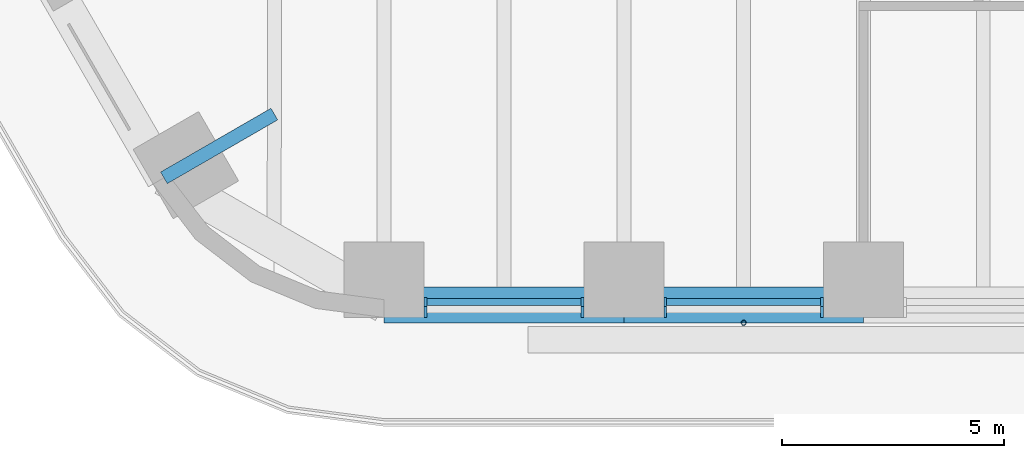
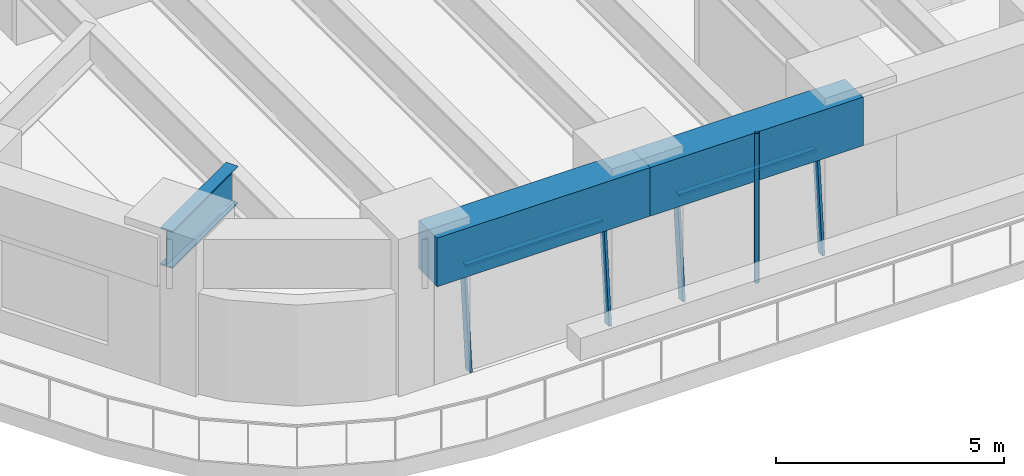
# One storey, part 2 of 23: 7 members, 3 beams, 2 elements without a shape of their own.
"""IFC4 building model written with IfcOpenShell, lengths in metres."""

import ifcopenshell
import ifcopenshell.guid

model = None  # the IFC model being written
_history = None  # IfcOwnerHistory: only IFC2X3 demands one
_inside = {}  # id of a spatial element -> (the spatial element, [elements in it])
_under = {}  # id of a project, library or spatial element -> (it, [spatial elements below it])
_declared = {}  # id of a project -> (the project, [libraries it declares])
_typed = {}  # id of a type object -> (the type object, [elements of that type])
_made_of = {}  # id of a material, layer set ... -> (it, [elements and type objects made of it])


def new_model(schema):
    """Start an empty IFC model of exactly this schema.

    Asked for "IFC4X3", IfcOpenShell would pick the latest addendum, in which some entities
    have other attributes; the version numbers below select the first issue.
    IFC2X3 requires an IfcOwnerHistory on every rooted entity: one is made here for all.
    """
    global model, _history
    if schema == "IFC4X3":
        model = ifcopenshell.file(schema_version=(4, 3, 0, 0))
    else:
        model = ifcopenshell.file(schema=schema)
    _inside.clear()
    _under.clear()
    _declared.clear()
    _typed.clear()
    _made_of.clear()
    _history = None
    if model.schema == "IFC2X3":
        org = make("IfcOrganization", Name="unknown")
        user = make(
            "IfcPersonAndOrganization",
            ThePerson=make("IfcPerson", FamilyName="unknown"),
            TheOrganization=org,
        )
        app = make(
            "IfcApplication",
            ApplicationDeveloper=org,
            Version="unknown",
            ApplicationFullName="unknown",
            ApplicationIdentifier="unknown",
        )
        _history = make(
            "IfcOwnerHistory",
            OwningUser=user,
            OwningApplication=app,
            ChangeAction="ADDED",
            CreationDate=0,
        )
    return model


def make(cls, **values):
    """One entity of the class cls with the attributes given. An attribute that is None is left unset."""
    return model.create_entity(
        cls, **{name: value for name, value in values.items() if value is not None}
    )


def rooted(cls, **values):
    """An entity with a GlobalId (a new one), such as an element, a storey or a relation."""
    return make(cls, GlobalId=ifcopenshell.guid.new(), OwnerHistory=_history, **values)


def si_unit(unit_type, name, prefix=None):
    """IfcSIUnit, for example si_unit("LENGTHUNIT", "METRE", prefix="MILLI")."""
    return make("IfcSIUnit", UnitType=unit_type, Prefix=prefix, Name=name)


def assignment(units):
    """IfcUnitAssignment: the units of a project."""
    return None if units is None else make("IfcUnitAssignment", Units=units)


def point(xyz):
    """IfcCartesianPoint."""
    return None if xyz is None else make("IfcCartesianPoint", Coordinates=xyz)


def direction(xyz):
    """IfcDirection."""
    return None if xyz is None else make("IfcDirection", DirectionRatios=xyz)


def frame(location, z_axis=None, x_axis=None):
    """IfcAxis2Placement3D, a coordinate frame: its origin and axes. An axis left out is left unset."""
    return make(
        "IfcAxis2Placement3D",
        Location=point(location),
        Axis=direction(z_axis),
        RefDirection=direction(x_axis),
    )


def frame_2d(location, x_axis=None):
    """IfcAxis2Placement2D, a coordinate frame in the plane: its origin and x axis."""
    return make(
        "IfcAxis2Placement2D", Location=point(location), RefDirection=direction(x_axis)
    )


def origin():
    """The frame at (0, 0, 0) with its axes left unset."""
    return frame((0.0, 0.0, 0.0))


def origin_2d():
    """The frame at (0, 0) in the plane with its x axis left unset."""
    return frame_2d((0.0, 0.0))


def place(relative_to, where):
    """IfcLocalPlacement: puts the frame where relative to a parent placement (None: the world)."""
    return make(
        "IfcLocalPlacement", PlacementRelTo=relative_to, RelativePlacement=where
    )


def context(
    kind, dimensions, precision=None, world=None, true_north=None, identifier=None
):
    """IfcGeometricRepresentationContext, for example the 3D "Model" context."""
    return make(
        "IfcGeometricRepresentationContext",
        ContextIdentifier=identifier,
        ContextType=kind,
        CoordinateSpaceDimension=dimensions,
        Precision=precision,
        WorldCoordinateSystem=world,
        TrueNorth=true_north,
    )


def subcontext(parent, identifier, kind, view, scale=None):
    """IfcGeometricRepresentationSubContext, for example "Body" below "Model"."""
    return make(
        "IfcGeometricRepresentationSubContext",
        ContextIdentifier=identifier,
        ContextType=kind,
        ParentContext=parent,
        TargetScale=scale,
        TargetView=view,
    )


def project(units=None, contexts=None):
    """IfcProject with its units and contexts."""
    return rooted(
        "IfcProject",
        Name="project",
        RepresentationContexts=contexts,
        UnitsInContext=assignment(units),
    )


def spatial(cls, under=None, at=None, **own):
    """A site, building, storey or space (cls), placed at a placement, below another one or the project."""
    s = rooted(cls, ObjectPlacement=at, **own)
    if under is not None:
        _under.setdefault(under.id(), (under, []))[1].append(s)
    return s


def profile(cls, at=None, kind="AREA", **sizes):
    """A parametric profile (cls). Its sizes go by their IFC names, for example OverallWidth=200.0."""
    return make(cls, ProfileType=kind, Position=at, **sizes)


def rectangle(**sizes):
    """IfcRectangleProfileDef."""
    return profile("IfcRectangleProfileDef", **sizes)


def hollow_circle(**sizes):
    """IfcCircleHollowProfileDef."""
    return profile("IfcCircleHollowProfileDef", **sizes)


def i_section(**sizes):
    """IfcIShapeProfileDef."""
    return profile("IfcIShapeProfileDef", **sizes)


def extrude(swept, where, along, depth):
    """IfcExtrudedAreaSolid: the profile swept, set in the frame where, extruded along a direction by depth."""
    return make(
        "IfcExtrudedAreaSolid",
        SweptArea=swept,
        Position=where,
        ExtrudedDirection=direction(along),
        Depth=depth,
    )


def shape(context_of_items, identifier, shape_type, items):
    """IfcShapeRepresentation: the items that make up one representation, for example the "Body"."""
    return make(
        "IfcShapeRepresentation",
        ContextOfItems=context_of_items,
        RepresentationIdentifier=identifier,
        RepresentationType=shape_type,
        Items=items,
    )


def material(Name=None, Category=None):
    """IfcMaterial."""
    return make("IfcMaterial", Name=Name, Category=Category)


def material_profile(
    of_material, cross_section, Name=None, Category=None, Priority=None
):
    """IfcMaterialProfile: a cross section and its material."""
    return make(
        "IfcMaterialProfile",
        Name=Name,
        Material=of_material,
        Profile=cross_section,
        Priority=Priority,
        Category=Category,
    )


def profile_set(profiles, Name=None, composite=None):
    """IfcMaterialProfileSet."""
    return make(
        "IfcMaterialProfileSet",
        Name=Name,
        MaterialProfiles=profiles,
        CompositeProfile=composite,
    )


def made_of(thing, what):
    """Note that an element or type object is made of a material, layer set ...; save() writes the relation."""
    if what is not None:
        _made_of.setdefault(what.id(), (what, []))[1].append(thing)
    return thing


def type_object(cls, material=None, **own):
    """A type object (cls), such as IfcWallType, which elements share."""
    return made_of(rooted(cls, **own), material)


def element(
    cls,
    number,
    at=None,
    inside=None,
    cuts=None,
    type_object=None,
    material=None,
    context=None,
    identifier="Body",
    shape_type=None,
    held_by="IfcProductDefinitionShape",
    body=None,
    shapes=None,
    **own,
):
    """One element of the class cls, such as IfcWall. Its Tag is "e" and its number.

    at: its placement. inside: the storey or other place that contains it. cuts: it is an
    opening in that element (IfcRelVoidsElement). A single representation is given by context,
    identifier, shape_type and body (its items); several are given by shapes. held_by: the class
    of the entity that holds the representations. save() writes the other relations.
    """
    e = rooted(cls, Tag="e%d" % number, ObjectPlacement=at, **own)
    if body is not None:
        shapes = [shape(context, identifier, shape_type, body)]
    if shapes is not None:
        e.Representation = make(held_by, Representations=shapes)
    if inside is not None:
        _inside.setdefault(inside.id(), (inside, []))[1].append(e)
    if cuts is not None:
        rooted(
            "IfcRelVoidsElement", RelatingBuildingElement=cuts, RelatedOpeningElement=e
        )
    if type_object is not None:
        _typed.setdefault(type_object.id(), (type_object, []))[1].append(e)
    return made_of(e, material)


def aggregate(whole, parts):
    """IfcRelAggregates: a whole, such as a stair, and the parts it consists of."""
    return rooted("IfcRelAggregates", RelatingObject=whole, RelatedObjects=parts)


def save(model, path):
    """Write the relations noted so far, then the file.

    IfcRelAggregates (storeys below a building ...), IfcRelContainedInSpatialStructure (elements
    in a storey), IfcRelDefinesByType, IfcRelAssociatesMaterial and IfcRelDeclares: one each for
    every whole, place, type object, material and project.
    """
    for whole, parts in _under.values():
        aggregate(whole, parts)
    for where, things in _inside.values():
        rooted(
            "IfcRelContainedInSpatialStructure",
            RelatedElements=things,
            RelatingStructure=where,
        )
    for kind, things in _typed.values():
        rooted("IfcRelDefinesByType", RelatedObjects=things, RelatingType=kind)
    for what, things in _made_of.values():
        rooted("IfcRelAssociatesMaterial", RelatedObjects=things, RelatingMaterial=what)
    for by, libraries in _declared.values():
        rooted("IfcRelDeclares", RelatingContext=by, RelatedDefinitions=libraries)
    model.write(path)


model = new_model("IFC4")

# Units and contexts
model_context = context("Model", 3, precision=1e-05, world=origin(), true_north=direction((0.0, 1.0)))
body_context = subcontext(model_context, "Body", "Model", "MODEL_VIEW")
ifc_project = project(units=[si_unit("LENGTHUNIT", "METRE"), si_unit("AREAUNIT", "SQUARE_METRE"), si_unit("VOLUMEUNIT", "CUBIC_METRE"), si_unit("PLANEANGLEUNIT", "RADIAN"), si_unit("MASSUNIT", "GRAM", prefix="KILO")], contexts=[model_context])

# Site, building, storey
site_placement = place(None, origin())
site = spatial("IfcSite", under=ifc_project, at=site_placement, CompositionType="ELEMENT")
building_placement = place(site_placement, origin())
building = spatial("IfcBuilding", under=site, at=building_placement, Name="Tarfa Lantern Tower", CompositionType="ELEMENT")
storey_placement = place(building_placement, frame((0.0, 0.0, 99.10009765625)))
storey = spatial("IfcBuildingStorey", under=building, at=storey_placement, Name="L22", CompositionType="ELEMENT", Elevation=99.10009765625)

# Curtain wall, members
ifc_material_1 = material(Name="Aluminium framed curtain wall", Category="aluminium")
curtain_wall_type = type_object("IfcCurtainWallType", Name="CW1 CANTED GLAZING LOW ZONE 2700", PredefinedType="USERDEFINED", material=ifc_material_1)
curtain_wall_1_placement = place(storey_placement, origin())
curtain_wall_1 = element("IfcCurtainWall", 1, at=curtain_wall_1_placement, inside=storey, type_object=curtain_wall_type, Name="CW1 S L22", ObjectType="CURTAIN WALL", PredefinedType="USERDEFINED")
ifc_material_2 = material(Name="Aluminium mullion", Category="aluminium")
ifc_material_profile_1 = material_profile(ifc_material_2, rectangle(XDim=0.06494140625, YDim=0.199951171875, at=origin_2d()), Name="AL MULLION 65x200")
ifc_profile_set_1 = profile_set([ifc_material_profile_1], Name="Aluminium mullion")
member_type_1 = type_object("IfcMemberType", Name="CWM1 MULLION 65x200", PredefinedType="MULLION", material=ifc_profile_set_1)
member_1_placement = place(storey_placement, frame((-15.2333984375, -33.89990234375, 0.0), z_axis=(0.0, 0.092199863775, 0.995740520979), x_axis=(-1.0, 0.0, 0.0)))
member_1 = element("IfcMember", 2, at=member_1_placement, type_object=member_type_1, Name="CW1 mullion 1", PredefinedType="MULLION", context=body_context, shape_type="SweptSolid", body=[
    extrude(rectangle(XDim=0.06494140625, YDim=0.199951171875, at=origin_2d()), origin(), (0.0, 0.0, 1.0), 2.71142578125),
])
member_2_placement = place(storey_placement, frame((-11.709716796875, -33.89990234375, 0.0), z_axis=(0.0, 0.092199863775, 0.995740520979), x_axis=(-1.0, 0.0, 0.0)))
member_2 = element("IfcMember", 3, at=member_2_placement, type_object=member_type_1, Name="CW1 mullion 2", PredefinedType="MULLION", context=body_context, shape_type="SweptSolid", body=[
    extrude(rectangle(XDim=0.06494140625, YDim=0.199951171875, at=origin_2d()), origin(), (0.0, 0.0, 1.0), 2.71142578125),
])

curtain_wall_2_placement = place(storey_placement, origin())
curtain_wall_2 = element("IfcCurtainWall", 4, at=curtain_wall_2_placement, inside=storey, type_object=curtain_wall_type, Name="CW1 S L22", ObjectType="CURTAIN WALL", PredefinedType="USERDEFINED")
member_3_placement = place(storey_placement, frame((-9.8447265625, -33.89990234375, 0.0), z_axis=(0.0, 0.092199863775, 0.995740520979), x_axis=(-1.0, 0.0, 0.0)))
member_3 = element("IfcMember", 5, at=member_3_placement, type_object=member_type_1, Name="CW1 mullion 1", PredefinedType="MULLION", context=body_context, shape_type="SweptSolid", body=[
    extrude(rectangle(XDim=0.06494140625, YDim=0.199951171875, at=origin_2d()), origin(), (0.0, 0.0, 1.0), 2.71142578125),
])
member_4_placement = place(storey_placement, frame((-6.321044921875, -33.89990234375, 0.0), z_axis=(0.0, 0.092199863775, 0.995740520979), x_axis=(-1.0, 0.0, 0.0)))
member_4 = element("IfcMember", 6, at=member_4_placement, type_object=member_type_1, Name="CW1 mullion 2", PredefinedType="MULLION", context=body_context, shape_type="SweptSolid", body=[
    extrude(rectangle(XDim=0.06494140625, YDim=0.199951171875, at=origin_2d()), origin(), (0.0, 0.0, 1.0), 2.71142578125),
])

# Member
ifc_material_3 = material(Name="Aluminium transom", Category="aluminium")
ifc_material_profile_2 = material_profile(ifc_material_3, rectangle(XDim=0.14990234375, YDim=0.06494140625, at=origin_2d()), Name="AL TRANSOM 150x65")
ifc_profile_set_2 = profile_set([ifc_material_profile_2], Name="Aluminium transom")
member_type_2 = type_object("IfcMemberType", Name="CWT1 TRANSOM 150x65", PredefinedType="USERDEFINED", material=ifc_profile_set_2)
member_5_placement = place(storey_placement, frame((-15.200927734375, -33.653076171875, 2.66748046875), z_axis=(1.0, 0.0, 0.0), x_axis=(0.0, 1.0, 0.0)))
member_5 = element("IfcMember", 7, at=member_5_placement, type_object=member_type_2, Name="CW1 transom 1.2", ObjectType="TRANSOM", PredefinedType="USERDEFINED", context=body_context, shape_type="SweptSolid", body=[
    extrude(rectangle(XDim=0.14990234375, YDim=0.06494140625, at=origin_2d()), origin(), (0.0, 0.0, 1.0), 3.458740234375),
])

aggregate(curtain_wall_1, [member_1, member_2, member_5])

member_6_placement = place(storey_placement, frame((-9.812255859375, -33.653076171875, 2.66748046875), z_axis=(1.0, 0.0, 0.0), x_axis=(0.0, 1.0, 0.0)))
member_6 = element("IfcMember", 8, at=member_6_placement, type_object=member_type_2, Name="CW1 transom 1.2", ObjectType="TRANSOM", PredefinedType="USERDEFINED", context=body_context, shape_type="SweptSolid", body=[
    extrude(rectangle(XDim=0.14990234375, YDim=0.06494140625, at=origin_2d()), origin(), (0.0, 0.0, 1.0), 3.458740234375),
])

aggregate(curtain_wall_2, [member_3, member_4, member_6])

# Beams
ifc_material_4 = material(Name="Concrete C80/95", Category="concrete")
ifc_material_profile_3 = material_profile(ifc_material_4, rectangle(XDim=0.800048828125, YDim=1.300048828125, at=origin_2d()), Name="RC 800x1300")
ifc_profile_set_3 = profile_set([ifc_material_profile_3], Name="Concrete C80/95")
beam_type_1 = type_object("IfcBeamType", Name="EB1 RC 800x1300", PredefinedType="SPANDREL", material=ifc_profile_set_3)
beam_1_placement = place(storey_placement, frame((-16.165771484375, -33.719970703125, 3.349853515625), z_axis=(1.0, 0.0, 0.0), x_axis=(0.0, 1.0, 0.0)))
element("IfcBeam", 9, at=beam_1_placement, inside=storey, type_object=beam_type_1, Name="Edge beam S0", PredefinedType="SPANDREL", context=body_context, shape_type="SweptSolid", body=[
    extrude(rectangle(XDim=0.800048828125, YDim=1.300048828125, at=origin_2d()), origin(), (0.0, 0.0, 1.0), 5.388671875),
])
beam_2_placement = place(storey_placement, frame((-10.777099609375, -33.719970703125, 3.349853515625), z_axis=(1.0, 0.0, 0.0), x_axis=(0.0, 1.0, 0.0)))
element("IfcBeam", 10, at=beam_2_placement, inside=storey, type_object=beam_type_1, Name="Edge beam S1", PredefinedType="SPANDREL", context=body_context, shape_type="SweptSolid", body=[
    extrude(rectangle(XDim=0.800048828125, YDim=1.300048828125, at=origin_2d()), origin(), (0.0, 0.0, 1.0), 5.388427734375),
])

# Member
ifc_material_5 = material(Name="Steel S355", Category="steel")
ifc_material_profile_4 = material_profile(ifc_material_5, hollow_circle(Radius=0.05712890625, WallThickness=0.00634765625, at=origin_2d()), Name="CHS114.3x6.3")
ifc_profile_set_4 = profile_set([ifc_material_profile_4], Name="Steel S355")
member_type_3 = type_object("IfcMemberType", Name="TR1 GREEN WALL TRELLIS CHS114.3x6.3", PredefinedType="USERDEFINED", material=ifc_profile_set_4)
member_7_placement = place(storey_placement, frame((-8.0830078125, -34.1201171875, 0.0), z_axis=(0.0, 0.0, 1.0), x_axis=(1.0, 0.0, 0.0)))
element("IfcMember", 11, at=member_7_placement, inside=storey, type_object=member_type_3, Name="Trellis post S 1", ObjectType="TRELLIS", PredefinedType="USERDEFINED", context=body_context, shape_type="SweptSolid", body=[
    extrude(hollow_circle(Radius=0.05712890625, WallThickness=0.00634765625, at=origin_2d()), origin(), (0.0, 0.0, 1.0), 4.0),
])

# Beam
ifc_material_6 = material(Name="Steel S460M", Category="steel")
ifc_material_profile_5 = material_profile(ifc_material_6, i_section(OverallWidth=0.302001953125, OverallDepth=1.008056640625, WebThickness=0.02099609375, FlangeThickness=0.0400390625, FilletRadius=0.030029296875, at=origin_2d()), Name="UB1016x305x349")
ifc_profile_set_5 = profile_set([ifc_material_profile_5], Name="Steel S460M")
beam_type_2 = type_object("IfcBeamType", Name="UB1016x305x349", PredefinedType="BEAM", material=ifc_profile_set_5)
beam_3_placement = place(storey_placement, frame((-21.119384765625, -30.860107421875, 3.495849609375), z_axis=(0.866012580594, 0.500022209759, 0.0), x_axis=(-0.500022209759, 0.866012580594, 0.0)))
element("IfcBeam", 12, at=beam_3_placement, inside=storey, type_object=beam_type_2, Name="Floor beam SW6", PredefinedType="BEAM", context=body_context, shape_type="SweptSolid", body=[
    extrude(i_section(OverallWidth=0.302001953125, OverallDepth=1.008056640625, WebThickness=0.02099609375, FlangeThickness=0.0400390625, FilletRadius=0.030029296875, at=origin_2d()), origin(), (0.0, 0.0, 1.0), 2.866943359375),
])

save(model, "model.ifc")
